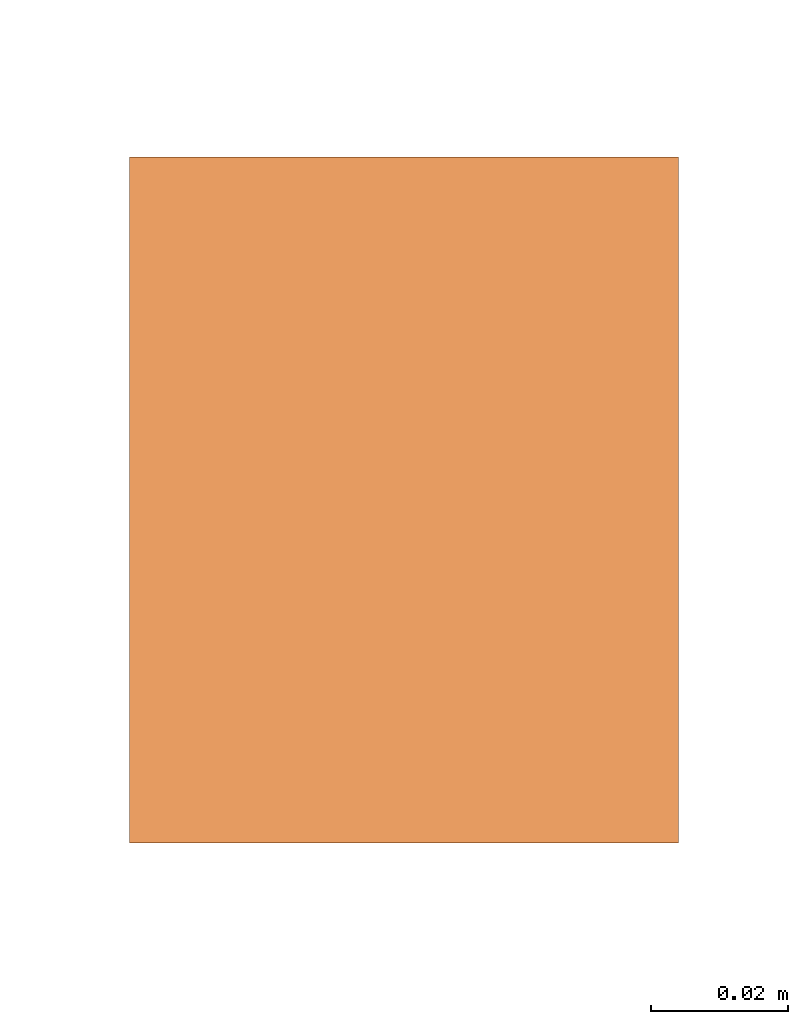
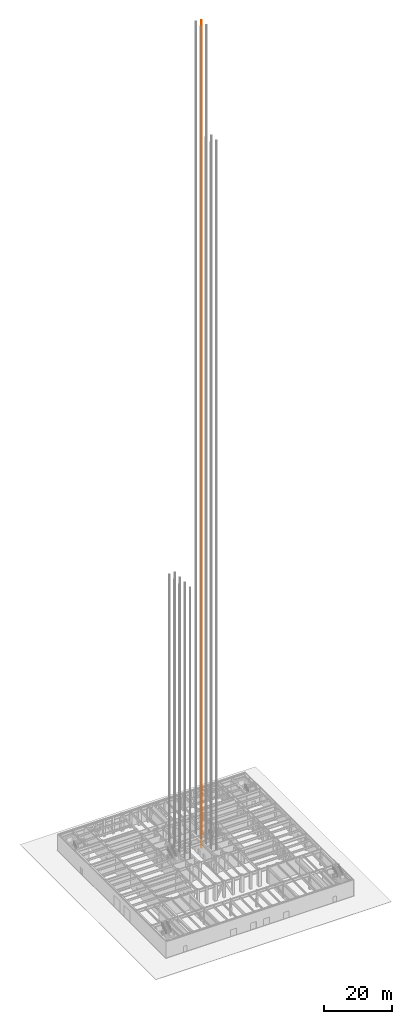
# One storey, part 35 of 35: 1 proxy.
"""IFC4 building model written with IfcOpenShell, lengths in metres."""

from ifc_helpers import new_model, si_unit, direction, frame, origin, origin_2d, place, context, subcontext, project, spatial, rectangle, extrude, material, type_object, element, save


model = new_model("IFC4")

# Units and contexts
model_context = context("Model", 3, precision=1e-05, world=origin(), true_north=direction((0.0, 1.0)))
body_context = subcontext(model_context, "Body", "Model", "MODEL_VIEW")
ifc_project = project(units=[si_unit("LENGTHUNIT", "METRE"), si_unit("AREAUNIT", "SQUARE_METRE"), si_unit("VOLUMEUNIT", "CUBIC_METRE"), si_unit("PLANEANGLEUNIT", "RADIAN"), si_unit("MASSUNIT", "GRAM", prefix="KILO")], contexts=[model_context])

# Site, building, storey
site_placement = place(None, origin())
site = spatial("IfcSite", under=ifc_project, at=site_placement, CompositionType="ELEMENT")
building_placement = place(site_placement, origin())
building = spatial("IfcBuilding", under=site, at=building_placement, Name="Chuquiago Exchange Tower", CompositionType="ELEMENT")
storey_placement = place(building_placement, origin())
storey = spatial("IfcBuildingStorey", under=building, at=storey_placement, Name="L00", CompositionType="ELEMENT", Elevation=0.0)

# Proxy
ifc_material = material(Name="Galvanised steel guide rail", Category="steel")
building_element_proxy_type = type_object("IfcBuildingElementProxyType", Name="LR lift guide rail", PredefinedType="NOTDEFINED", material=ifc_material)
proxy_placement = place(storey_placement, frame((27.93505859375, 25.5, 0.0), z_axis=(0.0, 0.0, 1.0), x_axis=(1.0, 0.0, 0.0)))
element("IfcBuildingElementProxy", 1, at=proxy_placement, inside=storey, type_object=building_element_proxy_type, Name="Lift LS4 guide rail E", PredefinedType="NOTDEFINED", context=body_context, shape_type="SweptSolid", body=[
    extrude(rectangle(XDim=0.080078125, YDim=0.10009765625, at=origin_2d()), origin(), (0.0, 0.0, 1.0), 298.699951171875),
])

save(model, "model.ifc")
